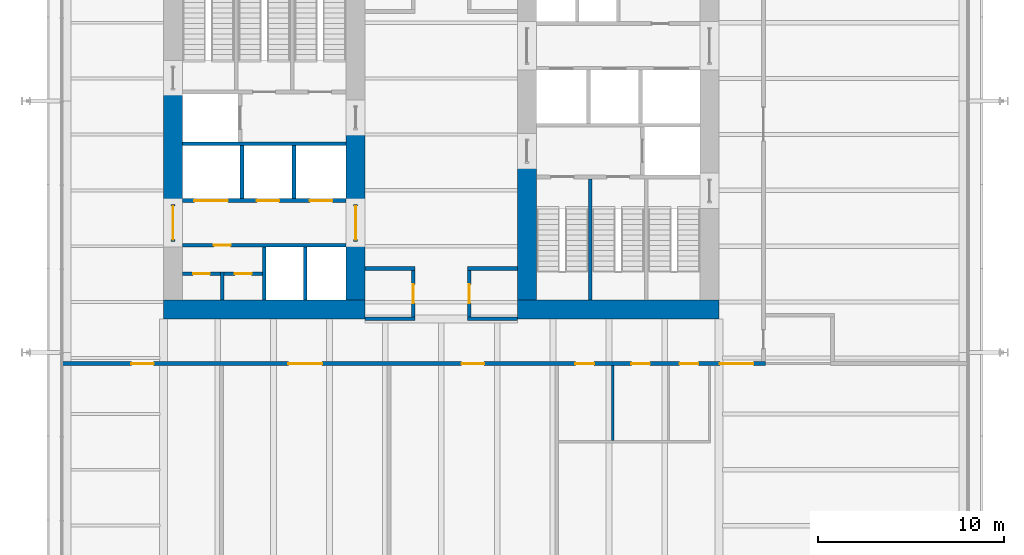
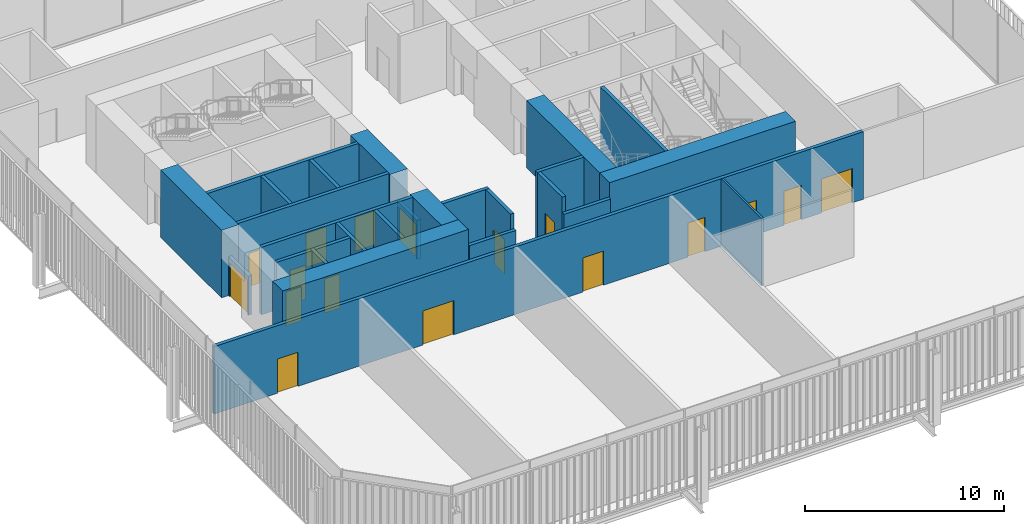
# One storey, part 16 of 20: 26 walls, 17 doors, 17 openings.
"""IFC4 building model written with IfcOpenShell, lengths in metres."""

from ifc_helpers import new_model, si_unit, direction, frame, frame_2d, origin, place, context, subcontext, project, spatial, rectangle, extrude, material, layer, layer_set, type_object, element, fill, save


model = new_model("IFC4")

# Units and contexts
model_context = context("Model", 3, precision=1e-05, world=origin(), true_north=direction((0.0, 1.0)))
body_context = subcontext(model_context, "Body", "Model", "MODEL_VIEW")
ifc_project = project(units=[si_unit("LENGTHUNIT", "METRE"), si_unit("AREAUNIT", "SQUARE_METRE"), si_unit("VOLUMEUNIT", "CUBIC_METRE"), si_unit("PLANEANGLEUNIT", "RADIAN"), si_unit("MASSUNIT", "GRAM", prefix="KILO")], contexts=[model_context])

# Site, building, storey
site_placement = place(None, origin())
site = spatial("IfcSite", under=ifc_project, at=site_placement, CompositionType="ELEMENT")
building_placement = place(site_placement, origin())
building = spatial("IfcBuilding", under=site, at=building_placement, Name="Millrace Tower", CompositionType="ELEMENT")
storey_placement = place(building_placement, frame((0.0, 0.0, 108.39990234375)))
storey = spatial("IfcBuildingStorey", under=building, at=storey_placement, Name="L24", CompositionType="ELEMENT", Elevation=108.39990234375)

# Walls
ifc_material_1 = material(Name="Concrete C80", Category="concrete")
ifc_layer_1 = layer(ifc_material_1, 1.0)
ifc_layer_set_1 = layer_set([ifc_layer_1], Name="Concrete C80")
wall_type_1 = type_object("IfcWallType", Name="Core wall 1000 Concrete C80", PredefinedType="SHEAR", material=ifc_layer_set_1)
wall_1_placement = place(storey_placement, frame((-14.89990234375, -9.39990234375, 0.0), z_axis=(0.0, 0.0, 1.0), x_axis=(1.0, 0.0, 0.0)))
element("IfcWall", 1, at=wall_1_placement, inside=storey, type_object=wall_type_1, Name="Core wall W L24", PredefinedType="SHEAR", context=body_context, shape_type="SweptSolid", body=[
    extrude(rectangle(XDim=10.7998046875, YDim=1.0, at=frame_2d((5.39990234375, 0.0))), origin(), (0.0, 0.0, 1.0), 4.150146484375),
])
wall_2_placement = place(storey_placement, frame((-14.39990234375, -3.75, 0.0), z_axis=(0.0, 0.0, 1.0), x_axis=(0.0, 1.0, 0.0)))
element("IfcWall", 2, at=wall_2_placement, inside=storey, type_object=wall_type_1, Name="Core wall W L24", PredefinedType="SHEAR", context=body_context, shape_type="SweptSolid", body=[
    extrude(rectangle(XDim=6.1298828125, YDim=1.0, at=frame_2d((3.06494140625, 0.0))), origin(), (0.0, 0.0, 1.0), 4.150146484375),
])
wall_3_placement = place(storey_placement, frame((-4.60009765625, -8.89990234375, 0.0), z_axis=(0.0, 0.0, 1.0), x_axis=(0.0, 1.0, 0.0)))
element("IfcWall", 3, at=wall_3_placement, inside=storey, type_object=wall_type_1, Name="Core wall W L24", PredefinedType="SHEAR", context=body_context, shape_type="SweptSolid", body=[
    extrude(rectangle(XDim=3.14990234375, YDim=1.0, at=frame_2d((1.574951171875, 0.0))), origin(), (0.0, 0.0, 1.0), 4.150146484375),
])
wall_4_placement = place(storey_placement, frame((-4.60009765625, -3.75, 0.0), z_axis=(0.0, 0.0, 1.0), x_axis=(0.0, 1.0, 0.0)))
element("IfcWall", 4, at=wall_4_placement, inside=storey, type_object=wall_type_1, Name="Core wall W L24", PredefinedType="SHEAR", context=body_context, shape_type="SweptSolid", body=[
    extrude(rectangle(XDim=4.0, YDim=1.0, at=frame_2d((2.0, 0.0))), origin(), (0.0, 0.0, 1.0), 4.150146484375),
])
wall_5_placement = place(storey_placement, frame((14.89990234375, -9.39990234375, 0.0), z_axis=(0.0, 0.0, 1.0), x_axis=(-1.0, 0.0, 0.0)))
element("IfcWall", 5, at=wall_5_placement, inside=storey, type_object=wall_type_1, Name="Core wall E L24", PredefinedType="SHEAR", context=body_context, shape_type="SweptSolid", body=[
    extrude(rectangle(XDim=10.7998046875, YDim=1.0, at=frame_2d((5.39990234375, 0.0))), origin(), (0.0, 0.0, 1.0), 4.150146484375),
])
wall_6_placement = place(storey_placement, frame((4.60009765625, -1.550048828125, 0.0), z_axis=(0.0, 0.0, 1.0), x_axis=(0.0, -1.0, 0.0)))
element("IfcWall", 6, at=wall_6_placement, inside=storey, type_object=wall_type_1, Name="Core wall E L24", PredefinedType="SHEAR", context=body_context, shape_type="SweptSolid", body=[
    extrude(rectangle(XDim=7.349853515625, YDim=1.0, at=frame_2d((3.6748046875, 0.0))), origin(), (0.0, 0.0, 1.0), 4.150146484375),
])

# Wall, openings, doors
ifc_material_2 = material(Name="Masonry partition, fire-rated", Category="masonry")
ifc_layer_2 = layer(ifc_material_2, 0.199951171875)
ifc_layer_set_2 = layer_set([ifc_layer_2], Name="Masonry partition, fire-rated")
wall_type_2 = type_object("IfcWallType", Name="Corridor wall 200", PredefinedType="PARTITIONING", material=ifc_layer_set_2)
wall_7_placement = place(storey_placement, frame((-20.330078125, -12.300048828125, 0.0), z_axis=(0.0, 0.0, 1.0), x_axis=(1.0, 0.0, 0.0)))
wall_7 = element("IfcWall", 7, at=wall_7_placement, inside=storey, type_object=wall_type_2, Name="Corridor wall L24", PredefinedType="PARTITIONING", context=body_context, shape_type="SweptSolid", body=[
    extrude(rectangle(XDim=37.72998046875, YDim=0.199951171875, at=frame_2d((18.864990234375, 0.0))), origin(), (0.0, 0.0, 1.0), 4.150146484375),
])
opening_1_placement = place(wall_7_placement, frame((3.68994140625, 0.0, 0.0)))
opening_1 = element("IfcOpeningElement", 8, at=opening_1_placement, cuts=wall_7, Name="Opening 24-P005", PredefinedType="OPENING", context=body_context, shape_type="SweptSolid", body=[
    extrude(rectangle(XDim=1.199951171875, YDim=2.10009765625, at=frame_2d((0.60009765625, 1.050048828125))), frame((0.0, 0.10986328125, 0.0), z_axis=(0.0, -1.0, 0.0), x_axis=(1.0, 0.0, 0.0)), (0.0, 0.0, 1.0), 0.219970703125),
])
opening_2_placement = place(wall_7_placement, frame((12.1298828125, 0.0, 0.0)))
opening_2 = element("IfcOpeningElement", 9, at=opening_2_placement, cuts=wall_7, Name="Opening 24-P006", PredefinedType="OPENING", context=body_context, shape_type="SweptSolid", body=[
    extrude(rectangle(XDim=1.800048828125, YDim=2.10009765625, at=frame_2d((0.89990234375, 1.050048828125))), frame((0.0, 0.10986328125, 0.0), z_axis=(0.0, -1.0, 0.0), x_axis=(1.0, 0.0, 0.0)), (0.0, 0.0, 1.0), 0.219970703125),
])
opening_3_placement = place(wall_7_placement, frame((21.429931640625, 0.0, 0.0)))
opening_3 = element("IfcOpeningElement", 10, at=opening_3_placement, cuts=wall_7, Name="Opening 24-P007", PredefinedType="OPENING", context=body_context, shape_type="SweptSolid", body=[
    extrude(rectangle(XDim=1.199951171875, YDim=2.10009765625, at=frame_2d((0.60009765625, 1.050048828125))), frame((0.0, 0.10986328125, 0.0), z_axis=(0.0, -1.0, 0.0), x_axis=(1.0, 0.0, 0.0)), (0.0, 0.0, 1.0), 0.219970703125),
])
opening_4_placement = place(wall_7_placement, frame((35.284912109375, 0.0, 0.0)))
opening_4 = element("IfcOpeningElement", 11, at=opening_4_placement, cuts=wall_7, Name="Opening 24-P008", PredefinedType="OPENING", context=body_context, shape_type="SweptSolid", body=[
    extrude(rectangle(XDim=1.800048828125, YDim=2.10009765625, at=frame_2d((0.89990234375, 1.050048828125))), frame((0.0, 0.10986328125, 0.0), z_axis=(0.0, -1.0, 0.0), x_axis=(1.0, 0.0, 0.0)), (0.0, 0.0, 1.0), 0.219970703125),
])
opening_5_placement = place(wall_7_placement, frame((27.530029296875, 0.0, 0.0)))
opening_5 = element("IfcOpeningElement", 12, at=opening_5_placement, cuts=wall_7, Name="Opening 24-P009", PredefinedType="OPENING", context=body_context, shape_type="SweptSolid", body=[
    extrude(rectangle(XDim=1.0, YDim=2.10009765625, at=frame_2d((0.5, 1.050048828125))), frame((0.0, 0.10986328125, 0.0), z_axis=(0.0, -1.0, 0.0), x_axis=(1.0, 0.0, 0.0)), (0.0, 0.0, 1.0), 0.219970703125),
])
opening_6_placement = place(wall_7_placement, frame((30.530029296875, 0.0, 0.0)))
opening_6 = element("IfcOpeningElement", 13, at=opening_6_placement, cuts=wall_7, Name="Opening 24-P010", PredefinedType="OPENING", context=body_context, shape_type="SweptSolid", body=[
    extrude(rectangle(XDim=1.0, YDim=2.10009765625, at=frame_2d((0.5, 1.050048828125))), frame((0.0, 0.10986328125, 0.0), z_axis=(0.0, -1.0, 0.0), x_axis=(1.0, 0.0, 0.0)), (0.0, 0.0, 1.0), 0.219970703125),
])
opening_7_placement = place(wall_7_placement, frame((33.1298828125, 0.0, 0.0)))
opening_7 = element("IfcOpeningElement", 14, at=opening_7_placement, cuts=wall_7, Name="Opening 24-P011", PredefinedType="OPENING", context=body_context, shape_type="SweptSolid", body=[
    extrude(rectangle(XDim=1.0, YDim=2.10009765625, at=frame_2d((0.5, 1.050048828125))), frame((0.0, 0.10986328125, 0.0), z_axis=(0.0, -1.0, 0.0), x_axis=(1.0, 0.0, 0.0)), (0.0, 0.0, 1.0), 0.219970703125),
])
ifc_material_3 = material(Name="Steel door set, fire-rated", Category="steel")
door_type_1 = type_object("IfcDoorType", Name="Corridor door 1000 x 2100", OperationType="SINGLE_SWING_LEFT", PredefinedType="DOOR", material=ifc_material_3)
door_1_placement = place(opening_5_placement, frame((1.0, 0.0, 0.0), z_axis=(0.0, 0.0, 1.0), x_axis=(-1.0, 0.0, 0.0)))
door_1 = element("IfcDoor", 15, at=door_1_placement, inside=storey, type_object=door_type_1, Name="Door 24-P009", OperationType="SINGLE_SWING_LEFT", OverallHeight=2.10009765625, OverallWidth=1.0, PredefinedType="DOOR", context=body_context, shape_type="SweptSolid", body=[
    extrude(rectangle(XDim=1.0, YDim=2.10009765625, at=frame_2d((0.5, 1.050048828125))), frame((0.0, 0.02490234375, 0.0), z_axis=(0.0, -1.0, 0.0), x_axis=(1.0, 0.0, 0.0)), (0.0, 0.0, 1.0), 0.050048828125),
])
fill(opening_5, door_1)
door_2_placement = place(opening_6_placement, frame((1.0, 0.0, 0.0), z_axis=(0.0, 0.0, 1.0), x_axis=(-1.0, 0.0, 0.0)))
door_2 = element("IfcDoor", 16, at=door_2_placement, inside=storey, type_object=door_type_1, Name="Door 24-P010", OperationType="SINGLE_SWING_LEFT", OverallHeight=2.10009765625, OverallWidth=1.0, PredefinedType="DOOR", context=body_context, shape_type="SweptSolid", body=[
    extrude(rectangle(XDim=1.0, YDim=2.10009765625, at=frame_2d((0.5, 1.050048828125))), frame((0.0, 0.02490234375, 0.0), z_axis=(0.0, -1.0, 0.0), x_axis=(1.0, 0.0, 0.0)), (0.0, 0.0, 1.0), 0.050048828125),
])
fill(opening_6, door_2)
door_3_placement = place(opening_7_placement, frame((1.0, 0.0, 0.0), z_axis=(0.0, 0.0, 1.0), x_axis=(-1.0, 0.0, 0.0)))
door_3 = element("IfcDoor", 17, at=door_3_placement, inside=storey, type_object=door_type_1, Name="Door 24-P011", OperationType="SINGLE_SWING_LEFT", OverallHeight=2.10009765625, OverallWidth=1.0, PredefinedType="DOOR", context=body_context, shape_type="SweptSolid", body=[
    extrude(rectangle(XDim=1.0, YDim=2.10009765625, at=frame_2d((0.5, 1.050048828125))), frame((0.0, 0.02490234375, 0.0), z_axis=(0.0, -1.0, 0.0), x_axis=(1.0, 0.0, 0.0)), (0.0, 0.0, 1.0), 0.050048828125),
])
fill(opening_7, door_3)
ifc_material_4 = material(Name="Steel door set, fire-rated", Category="steel")
door_type_2 = type_object("IfcDoorType", Name="Corridor door 1800 x 2100", OperationType="DOUBLE_DOOR_SINGLE_SWING", PredefinedType="DOOR", material=ifc_material_4)
door_4_placement = place(opening_4_placement, origin())
door_4 = element("IfcDoor", 18, at=door_4_placement, inside=storey, type_object=door_type_2, Name="Door 24-P008", OperationType="DOUBLE_DOOR_SINGLE_SWING", OverallHeight=2.10009765625, OverallWidth=1.800048828125, PredefinedType="DOOR", context=body_context, shape_type="SweptSolid", body=[
    extrude(rectangle(XDim=1.800048828125, YDim=2.10009765625, at=frame_2d((0.89990234375, 1.050048828125))), frame((0.0, 0.02490234375, 0.0), z_axis=(0.0, -1.0, 0.0), x_axis=(1.0, 0.0, 0.0)), (0.0, 0.0, 1.0), 0.050048828125),
])
fill(opening_4, door_4)
ifc_material_5 = material(Name="Steel door set, fire-rated", Category="steel")
door_type_3 = type_object("IfcDoorType", Name="Data hall door 1200 x 2100", OperationType="SINGLE_SWING_LEFT", PredefinedType="DOOR", material=ifc_material_5)
door_5_placement = place(opening_1_placement, frame((1.199951171875, 0.0, 0.0), z_axis=(0.0, 0.0, 1.0), x_axis=(-1.0, 0.0, 0.0)))
door_5 = element("IfcDoor", 19, at=door_5_placement, inside=storey, type_object=door_type_3, Name="Door 24-P005", OperationType="SINGLE_SWING_RIGHT", OverallHeight=2.10009765625, OverallWidth=1.199951171875, PredefinedType="DOOR", context=body_context, shape_type="SweptSolid", body=[
    extrude(rectangle(XDim=1.199951171875, YDim=2.10009765625, at=frame_2d((0.60009765625, 1.050048828125))), frame((0.0, 0.02490234375, 0.0), z_axis=(0.0, -1.0, 0.0), x_axis=(1.0, 0.0, 0.0)), (0.0, 0.0, 1.0), 0.050048828125),
])
fill(opening_1, door_5)
door_6_placement = place(opening_3_placement, frame((1.199951171875, 0.0, 0.0), z_axis=(0.0, 0.0, 1.0), x_axis=(-1.0, 0.0, 0.0)))
door_6 = element("IfcDoor", 20, at=door_6_placement, inside=storey, type_object=door_type_3, Name="Door 24-P007", OperationType="SINGLE_SWING_LEFT", OverallHeight=2.10009765625, OverallWidth=1.199951171875, PredefinedType="DOOR", context=body_context, shape_type="SweptSolid", body=[
    extrude(rectangle(XDim=1.199951171875, YDim=2.10009765625, at=frame_2d((0.60009765625, 1.050048828125))), frame((0.0, 0.02490234375, 0.0), z_axis=(0.0, -1.0, 0.0), x_axis=(1.0, 0.0, 0.0)), (0.0, 0.0, 1.0), 0.050048828125),
])
fill(opening_3, door_6)
ifc_material_6 = material(Name="Steel door set, fire-rated", Category="steel")
door_type_4 = type_object("IfcDoorType", Name="Data hall door 1800 x 2100", OperationType="DOUBLE_DOOR_SINGLE_SWING", PredefinedType="DOOR", material=ifc_material_6)
door_7_placement = place(opening_2_placement, frame((1.800048828125, 0.0, 0.0), z_axis=(0.0, 0.0, 1.0), x_axis=(-1.0, 0.0, 0.0)))
door_7 = element("IfcDoor", 21, at=door_7_placement, inside=storey, type_object=door_type_4, Name="Door 24-P006", OperationType="DOUBLE_DOOR_SINGLE_SWING", OverallHeight=2.10009765625, OverallWidth=1.800048828125, PredefinedType="DOOR", context=body_context, shape_type="SweptSolid", body=[
    extrude(rectangle(XDim=1.800048828125, YDim=2.10009765625, at=frame_2d((0.89990234375, 1.050048828125))), frame((0.0, 0.02490234375, 0.0), z_axis=(0.0, -1.0, 0.0), x_axis=(1.0, 0.0, 0.0)), (0.0, 0.0, 1.0), 0.050048828125),
])
fill(opening_2, door_7)

# Walls
for number, where, z_axis, x_axis, name in (
    (22, (-4.10009765625, -9.89990234375, 0.0), (0.0, 0.0, 1.0), (1.0, 0.0, 0.0), "Corridor wall L24"),
    (23, (1.39990234375, -9.89990234375, 0.0), (0.0, 0.0, 1.0), (1.0, 0.0, 0.0), "Corridor wall L24"),
):
    element("IfcWall", number, at=place(storey_placement, frame(where, z_axis=z_axis, x_axis=x_axis)), inside=storey, type_object=wall_type_2, Name=name, PredefinedType="PARTITIONING", context=body_context, shape_type="SweptSolid", body=[
        extrude(rectangle(XDim=2.7001953125, YDim=0.199951171875, at=frame_2d((1.35009765625, 0.0))), origin(), (0.0, 0.0, 1.0), 3.212890625),
    ])
for number, where, z_axis, x_axis, name in (
    (24, (-4.10009765625, -7.199951171875, 0.0), (0.0, 0.0, 1.0), (1.0, 0.0, 0.0), "Corridor wall L24"),
    (25, (1.39990234375, -7.199951171875, 0.0), (0.0, 0.0, 1.0), (1.0, 0.0, 0.0), "Corridor wall L24"),
):
    element("IfcWall", number, at=place(storey_placement, frame(where, z_axis=z_axis, x_axis=x_axis)), inside=storey, type_object=wall_type_2, Name=name, PredefinedType="PARTITIONING", context=body_context, shape_type="SweptSolid", body=[
        extrude(rectangle(XDim=2.7001953125, YDim=0.199951171875, at=frame_2d((1.35009765625, 0.0))), origin(), (0.0, 0.0, 1.0), 4.150146484375),
    ])

# Wall, opening, door
wall_8_placement = place(storey_placement, frame((1.5, -9.800048828125, 0.0), z_axis=(0.0, 0.0, 1.0), x_axis=(0.0, 1.0, 0.0)))
wall_8 = element("IfcWall", 26, at=wall_8_placement, inside=storey, type_object=wall_type_2, Name="Corridor wall L24", PredefinedType="PARTITIONING", context=body_context, shape_type="SweptSolid", body=[
    extrude(rectangle(XDim=2.5, YDim=0.199951171875, at=frame_2d((1.25, 0.0))), origin(), (0.0, 0.0, 1.0), 4.150146484375),
])
opening_8_placement = place(wall_8_placement, frame((0.75, 0.0, 0.0)))
opening_8 = element("IfcOpeningElement", 27, at=opening_8_placement, cuts=wall_8, Name="Opening 24-P004", PredefinedType="OPENING", context=body_context, shape_type="SweptSolid", body=[
    extrude(rectangle(XDim=1.0, YDim=2.10009765625, at=frame_2d((0.5, 1.050048828125))), frame((0.0, 0.10986328125, 0.0), z_axis=(0.0, -1.0, 0.0), x_axis=(1.0, 0.0, 0.0)), (0.0, 0.0, 1.0), 0.219970703125),
])
door_8_placement = place(opening_8_placement, frame((1.0, 0.0, 0.0), z_axis=(0.0, 0.0, 1.0), x_axis=(-1.0, 0.0, 0.0)))
door_8 = element("IfcDoor", 28, at=door_8_placement, inside=storey, type_object=door_type_1, Name="Door 24-P004", OperationType="SINGLE_SWING_LEFT", OverallHeight=2.10009765625, OverallWidth=1.0, PredefinedType="DOOR", context=body_context, shape_type="SweptSolid", body=[
    extrude(rectangle(XDim=1.0, YDim=2.10009765625, at=frame_2d((0.5, 1.050048828125))), frame((0.0, 0.02490234375, 0.0), z_axis=(0.0, -1.0, 0.0), x_axis=(1.0, 0.0, 0.0)), (0.0, 0.0, 1.0), 0.050048828125),
])
fill(opening_8, door_8)

wall_9_placement = place(storey_placement, frame((-1.5, -9.800048828125, 0.0), z_axis=(0.0, 0.0, 1.0), x_axis=(0.0, 1.0, 0.0)))
wall_9 = element("IfcWall", 29, at=wall_9_placement, inside=storey, type_object=wall_type_2, Name="Corridor wall L24", PredefinedType="PARTITIONING", context=body_context, shape_type="SweptSolid", body=[
    extrude(rectangle(XDim=2.5, YDim=0.199951171875, at=frame_2d((1.25, 0.0))), origin(), (0.0, 0.0, 1.0), 4.150146484375),
])
opening_9_placement = place(wall_9_placement, frame((0.75, 0.0, 0.0)))
opening_9 = element("IfcOpeningElement", 30, at=opening_9_placement, cuts=wall_9, Name="Opening 24-P003", PredefinedType="OPENING", context=body_context, shape_type="SweptSolid", body=[
    extrude(rectangle(XDim=1.0, YDim=2.10009765625, at=frame_2d((0.5, 1.050048828125))), frame((0.0, 0.10986328125, 0.0), z_axis=(0.0, -1.0, 0.0), x_axis=(1.0, 0.0, 0.0)), (0.0, 0.0, 1.0), 0.219970703125),
])
door_9_placement = place(opening_9_placement, origin())
door_9 = element("IfcDoor", 31, at=door_9_placement, inside=storey, type_object=door_type_1, Name="Door 24-P003", OperationType="SINGLE_SWING_RIGHT", OverallHeight=2.10009765625, OverallWidth=1.0, PredefinedType="DOOR", context=body_context, shape_type="SweptSolid", body=[
    extrude(rectangle(XDim=1.0, YDim=2.10009765625, at=frame_2d((0.5, 1.050048828125))), frame((0.0, 0.02490234375, 0.0), z_axis=(0.0, -1.0, 0.0), x_axis=(1.0, 0.0, 0.0)), (0.0, 0.0, 1.0), 0.050048828125),
])
fill(opening_9, door_9)

ifc_material_7 = material(Name="Masonry partition, fire-rated", Category="masonry")
ifc_layer_3 = layer(ifc_material_7, 0.199951171875)
ifc_layer_set_3 = layer_set([ifc_layer_3], Name="Masonry partition, fire-rated")
wall_type_3 = type_object("IfcWallType", Name="Lift shaft wall 200", PredefinedType="PARTITIONING", material=ifc_layer_set_3)
wall_10_placement = place(storey_placement, frame((-13.89990234375, -5.949951171875, 0.0), z_axis=(0.0, 0.0, 1.0), x_axis=(1.0, 0.0, 0.0)))
wall_10 = element("IfcWall", 32, at=wall_10_placement, inside=storey, type_object=wall_type_3, Name="Lift shaft wall W L24", PredefinedType="PARTITIONING", context=body_context, shape_type="SweptSolid", body=[
    extrude(rectangle(XDim=8.7998046875, YDim=0.199951171875, at=frame_2d((4.39990234375, 0.0))), origin(), (0.0, 0.0, 1.0), 4.150146484375),
])
opening_10_placement = place(wall_10_placement, frame((1.699951171875, 0.0, 0.0)))
opening_10 = element("IfcOpeningElement", 33, at=opening_10_placement, cuts=wall_10, Name="Opening 24-C005", PredefinedType="OPENING", context=body_context, shape_type="SweptSolid", body=[
    extrude(rectangle(XDim=0.89990234375, YDim=2.10009765625, at=frame_2d((0.449951171875, 1.050048828125))), frame((0.0, 0.10986328125, 0.0), z_axis=(0.0, -1.0, 0.0), x_axis=(1.0, 0.0, 0.0)), (0.0, 0.0, 1.0), 0.219970703125),
])
ifc_material_8 = material(Name="Steel door, fire-rated", Category="steel")
door_type_5 = type_object("IfcDoorType", Name="Service room door 900 x 2100", OperationType="SINGLE_SWING_LEFT", PredefinedType="DOOR", material=ifc_material_8)
door_10_placement = place(opening_10_placement, origin())
door_10 = element("IfcDoor", 34, at=door_10_placement, inside=storey, type_object=door_type_5, Name="Service room door 24-C005", OperationType="SINGLE_SWING_LEFT", OverallHeight=2.10009765625, OverallWidth=0.89990234375, PredefinedType="DOOR", context=body_context, shape_type="SweptSolid", body=[
    extrude(rectangle(XDim=0.89990234375, YDim=2.10009765625, at=frame_2d((0.449951171875, 1.050048828125))), frame((0.0, 0.02490234375, 0.0), z_axis=(0.0, -1.0, 0.0), x_axis=(1.0, 0.0, 0.0)), (0.0, 0.0, 1.0), 0.050048828125),
])
fill(opening_10, door_10)

# Wall, openings, doors
wall_11_placement = place(storey_placement, frame((-13.89990234375, -3.550048828125, 0.0), z_axis=(0.0, 0.0, 1.0), x_axis=(1.0, 0.0, 0.0)))
wall_11 = element("IfcWall", 35, at=wall_11_placement, inside=storey, type_object=wall_type_3, Name="Lift shaft wall W L24", PredefinedType="PARTITIONING", context=body_context, shape_type="SweptSolid", body=[
    extrude(rectangle(XDim=8.7998046875, YDim=0.199951171875, at=frame_2d((4.39990234375, 0.0))), origin(), (0.0, 0.0, 1.0), 4.150146484375),
])
opening_11_placement = place(wall_11_placement, frame((0.64990234375, 0.0, 0.0)))
opening_11 = element("IfcOpeningElement", 36, at=opening_11_placement, cuts=wall_11, Name="Opening 24-LD05", PredefinedType="OPENING", context=body_context, shape_type="SweptSolid", body=[
    extrude(rectangle(XDim=1.800048828125, YDim=2.10009765625, at=frame_2d((0.89990234375, 1.050048828125))), frame((0.0, 0.10986328125, 0.0), z_axis=(0.0, -1.0, 0.0), x_axis=(1.0, 0.0, 0.0)), (0.0, 0.0, 1.0), 0.219970703125),
])
opening_12_placement = place(wall_11_placement, frame((4.0, 0.0, 0.0)))
opening_12 = element("IfcOpeningElement", 37, at=opening_12_placement, cuts=wall_11, Name="Opening 24-LD06", PredefinedType="OPENING", context=body_context, shape_type="SweptSolid", body=[
    extrude(rectangle(XDim=1.199951171875, YDim=2.10009765625, at=frame_2d((0.60009765625, 1.050048828125))), frame((0.0, 0.10986328125, 0.0), z_axis=(0.0, -1.0, 0.0), x_axis=(1.0, 0.0, 0.0)), (0.0, 0.0, 1.0), 0.219970703125),
])
opening_13_placement = place(wall_11_placement, frame((6.85009765625, 0.0, 0.0)))
opening_13 = element("IfcOpeningElement", 38, at=opening_13_placement, cuts=wall_11, Name="Opening 24-LD07", PredefinedType="OPENING", context=body_context, shape_type="SweptSolid", body=[
    extrude(rectangle(XDim=1.199951171875, YDim=2.10009765625, at=frame_2d((0.60009765625, 1.050048828125))), frame((0.0, 0.10986328125, 0.0), z_axis=(0.0, -1.0, 0.0), x_axis=(1.0, 0.0, 0.0)), (0.0, 0.0, 1.0), 0.219970703125),
])
ifc_material_9 = material(Name="Stainless steel, fire-rated", Category="steel")
door_type_6 = type_object("IfcDoorType", Name="Lift landing door 1200 x 2100", OperationType="DOUBLE_DOOR_SLIDING", PredefinedType="DOOR", material=ifc_material_9)
door_11_placement = place(opening_12_placement, origin())
door_11 = element("IfcDoor", 39, at=door_11_placement, inside=storey, type_object=door_type_6, Name="Lift landing door LF6 L24", OperationType="DOUBLE_DOOR_SLIDING", OverallHeight=2.10009765625, OverallWidth=1.199951171875, PredefinedType="DOOR", context=body_context, shape_type="SweptSolid", body=[
    extrude(rectangle(XDim=1.199951171875, YDim=2.10009765625, at=frame_2d((0.60009765625, 1.050048828125))), frame((0.0, 0.02490234375, 0.0), z_axis=(0.0, -1.0, 0.0), x_axis=(1.0, 0.0, 0.0)), (0.0, 0.0, 1.0), 0.050048828125),
])
fill(opening_12, door_11)
door_12_placement = place(opening_13_placement, origin())
door_12 = element("IfcDoor", 40, at=door_12_placement, inside=storey, type_object=door_type_6, Name="Lift landing door LF7 L24", OperationType="DOUBLE_DOOR_SLIDING", OverallHeight=2.10009765625, OverallWidth=1.199951171875, PredefinedType="DOOR", context=body_context, shape_type="SweptSolid", body=[
    extrude(rectangle(XDim=1.199951171875, YDim=2.10009765625, at=frame_2d((0.60009765625, 1.050048828125))), frame((0.0, 0.02490234375, 0.0), z_axis=(0.0, -1.0, 0.0), x_axis=(1.0, 0.0, 0.0)), (0.0, 0.0, 1.0), 0.050048828125),
])
fill(opening_13, door_12)
ifc_material_10 = material(Name="Stainless steel, fire-rated", Category="steel")
door_type_7 = type_object("IfcDoorType", Name="Lift landing door 1800 x 2100", OperationType="DOUBLE_DOOR_SLIDING", PredefinedType="DOOR", material=ifc_material_10)
door_13_placement = place(opening_11_placement, origin())
door_13 = element("IfcDoor", 41, at=door_13_placement, inside=storey, type_object=door_type_7, Name="Lift landing door LF5 L24", OperationType="DOUBLE_DOOR_SLIDING", OverallHeight=2.10009765625, OverallWidth=1.800048828125, PredefinedType="DOOR", context=body_context, shape_type="SweptSolid", body=[
    extrude(rectangle(XDim=1.800048828125, YDim=2.10009765625, at=frame_2d((0.89990234375, 1.050048828125))), frame((0.0, 0.02490234375, 0.0), z_axis=(0.0, -1.0, 0.0), x_axis=(1.0, 0.0, 0.0)), (0.0, 0.0, 1.0), 0.050048828125),
])
fill(opening_11, door_13)

# Walls
wall_12_placement = place(storey_placement, frame((-13.89990234375, -0.5, 0.0), z_axis=(0.0, 0.0, 1.0), x_axis=(1.0, 0.0, 0.0)))
element("IfcWall", 42, at=wall_12_placement, inside=storey, type_object=wall_type_3, Name="Lift shaft wall W L24", PredefinedType="PARTITIONING", context=body_context, shape_type="SweptSolid", body=[
    extrude(rectangle(XDim=8.7998046875, YDim=0.199951171875, at=frame_2d((4.39990234375, 0.0))), origin(), (0.0, 0.0, 1.0), 4.150146484375),
])
for number, where, z_axis, x_axis, name in (
    (43, (-9.5, -8.89990234375, 0.0), (0.0, 0.0, 1.0), (0.0, 1.0, 0.0), "Lift shaft wall W L24"),
    (44, (-7.300048828125, -8.89990234375, 0.0), (0.0, 0.0, 1.0), (0.0, 1.0, 0.0), "Lift shaft wall W L24"),
    (45, (-10.699951171875, -3.449951171875, 0.0), (0.0, 0.0, 1.0), (0.0, 1.0, 0.0), "Lift shaft wall W L24"),
    (46, (-7.89990234375, -3.449951171875, 0.0), (0.0, 0.0, 1.0), (0.0, 1.0, 0.0), "Lift shaft wall W L24"),
):
    element("IfcWall", number, at=place(storey_placement, frame(where, z_axis=z_axis, x_axis=x_axis)), inside=storey, type_object=wall_type_3, Name=name, PredefinedType="PARTITIONING", context=body_context, shape_type="SweptSolid", body=[
        extrude(rectangle(XDim=2.849853515625, YDim=0.199951171875, at=frame_2d((1.4248046875, 0.0))), origin(), (0.0, 0.0, 1.0), 4.150146484375),
    ])

# Wall, opening, door
ifc_material_11 = material(Name="Masonry partition, fire-rated", Category="masonry")
ifc_layer_4 = layer(ifc_material_11, 0.199951171875)
ifc_layer_set_4 = layer_set([ifc_layer_4], Name="Masonry partition, fire-rated")
wall_type_4 = type_object("IfcWallType", Name="Lobby wall 200", PredefinedType="PARTITIONING", material=ifc_layer_set_4)
wall_13_placement = place(storey_placement, frame((-14.39990234375, -5.75, 0.0), z_axis=(0.0, 0.0, 1.0), x_axis=(0.0, 1.0, 0.0)))
wall_13 = element("IfcWall", 47, at=wall_13_placement, inside=storey, type_object=wall_type_4, Name="Lobby wall W L24", PredefinedType="PARTITIONING", context=body_context, shape_type="SweptSolid", body=[
    extrude(rectangle(XDim=2.0, YDim=0.199951171875, at=frame_2d((1.0, 0.0))), origin(), (0.0, 0.0, 1.0), 2.400146484375),
])
opening_14_placement = place(wall_13_placement, frame((0.10009765625, 0.0, 0.0)))
opening_14 = element("IfcOpeningElement", 48, at=opening_14_placement, cuts=wall_13, Name="Opening 24-C001", PredefinedType="OPENING", context=body_context, shape_type="SweptSolid", body=[
    extrude(rectangle(XDim=1.800048828125, YDim=2.10009765625, at=frame_2d((0.89990234375, 1.050048828125))), frame((0.0, 0.10986328125, 0.0), z_axis=(0.0, -1.0, 0.0), x_axis=(1.0, 0.0, 0.0)), (0.0, 0.0, 1.0), 0.219970703125),
])
ifc_material_12 = material(Name="Steel door, fire-rated", Category="steel")
door_type_8 = type_object("IfcDoorType", Name="Lobby door 1800 x 2100", OperationType="DOUBLE_DOOR_SINGLE_SWING", PredefinedType="DOOR", material=ifc_material_12)
door_14_placement = place(opening_14_placement, origin())
door_14 = element("IfcDoor", 49, at=door_14_placement, inside=storey, type_object=door_type_8, Name="Lobby door 24-C001", OperationType="DOUBLE_DOOR_SINGLE_SWING", OverallHeight=2.10009765625, OverallWidth=1.800048828125, PredefinedType="DOOR", context=body_context, shape_type="SweptSolid", body=[
    extrude(rectangle(XDim=1.800048828125, YDim=2.10009765625, at=frame_2d((0.89990234375, 1.050048828125))), frame((0.0, 0.02490234375, 0.0), z_axis=(0.0, -1.0, 0.0), x_axis=(1.0, 0.0, 0.0)), (0.0, 0.0, 1.0), 0.050048828125),
])
fill(opening_14, door_14)

wall_14_placement = place(storey_placement, frame((-4.60009765625, -5.75, 0.0), z_axis=(0.0, 0.0, 1.0), x_axis=(0.0, 1.0, 0.0)))
wall_14 = element("IfcWall", 50, at=wall_14_placement, inside=storey, type_object=wall_type_4, Name="Lobby wall W L24", PredefinedType="PARTITIONING", context=body_context, shape_type="SweptSolid", body=[
    extrude(rectangle(XDim=2.0, YDim=0.199951171875, at=frame_2d((1.0, 0.0))), origin(), (0.0, 0.0, 1.0), 2.400146484375),
])
opening_15_placement = place(wall_14_placement, frame((0.10009765625, 0.0, 0.0)))
opening_15 = element("IfcOpeningElement", 51, at=opening_15_placement, cuts=wall_14, Name="Opening 24-C003", PredefinedType="OPENING", context=body_context, shape_type="SweptSolid", body=[
    extrude(rectangle(XDim=1.800048828125, YDim=2.10009765625, at=frame_2d((0.89990234375, 1.050048828125))), frame((0.0, 0.10986328125, 0.0), z_axis=(0.0, -1.0, 0.0), x_axis=(1.0, 0.0, 0.0)), (0.0, 0.0, 1.0), 0.219970703125),
])
door_15_placement = place(opening_15_placement, origin())
door_15 = element("IfcDoor", 52, at=door_15_placement, inside=storey, type_object=door_type_8, Name="Lobby door 24-C003", OperationType="DOUBLE_DOOR_SINGLE_SWING", OverallHeight=2.10009765625, OverallWidth=1.800048828125, PredefinedType="DOOR", context=body_context, shape_type="SweptSolid", body=[
    extrude(rectangle(XDim=1.800048828125, YDim=2.10009765625, at=frame_2d((0.89990234375, 1.050048828125))), frame((0.0, 0.02490234375, 0.0), z_axis=(0.0, -1.0, 0.0), x_axis=(1.0, 0.0, 0.0)), (0.0, 0.0, 1.0), 0.050048828125),
])
fill(opening_15, door_15)

# Wall
ifc_material_13 = material(Name="Gypsum board partition")
ifc_layer_5 = layer(ifc_material_13, 0.1201171875)
ifc_layer_set_5 = layer_set([ifc_layer_5], Name="Gypsum board partition")
wall_type_5 = type_object("IfcWallType", Name="Partition wall 120", PredefinedType="PARTITIONING", material=ifc_layer_set_5)
wall_15_placement = place(storey_placement, frame((9.199951171875, -16.43994140625, 0.0), z_axis=(0.0, 0.0, 1.0), x_axis=(0.0, 1.0, 0.0)))
element("IfcWall", 53, at=wall_15_placement, inside=storey, type_object=wall_type_5, Name="Partition wall L24", PredefinedType="PARTITIONING", context=body_context, shape_type="SweptSolid", body=[
    extrude(rectangle(XDim=4.0400390625, YDim=0.1201171875, at=frame_2d((2.02001953125, 0.0))), origin(), (0.0, 0.0, 1.0), 4.150146484375),
])

# Wall, openings, doors
ifc_material_14 = material(Name="Masonry partition, fire-rated", Category="masonry")
ifc_layer_6 = layer(ifc_material_14, 0.199951171875)
ifc_layer_set_6 = layer_set([ifc_layer_6], Name="Masonry partition, fire-rated")
wall_type_6 = type_object("IfcWallType", Name="Room partition 200", PredefinedType="PARTITIONING", material=ifc_layer_set_6)
wall_16_placement = place(storey_placement, frame((-13.89990234375, -7.47509765625, 0.0), z_axis=(0.0, 0.0, 1.0), x_axis=(1.0, 0.0, 0.0)))
wall_16 = element("IfcWall", 54, at=wall_16_placement, inside=storey, type_object=wall_type_6, Name="Room partition W L24", PredefinedType="PARTITIONING", context=body_context, shape_type="SweptSolid", body=[
    extrude(rectangle(XDim=4.2998046875, YDim=0.199951171875, at=frame_2d((2.14990234375, 0.0))), origin(), (0.0, 0.0, 1.0), 4.150146484375),
])
opening_16_placement = place(wall_16_placement, frame((0.574951171875, 0.0, 0.0)))
opening_16 = element("IfcOpeningElement", 55, at=opening_16_placement, cuts=wall_16, Name="Opening 24-C006", PredefinedType="OPENING", context=body_context, shape_type="SweptSolid", body=[
    extrude(rectangle(XDim=0.89990234375, YDim=2.10009765625, at=frame_2d((0.449951171875, 1.050048828125))), frame((0.0, 0.10986328125, 0.0), z_axis=(0.0, -1.0, 0.0), x_axis=(1.0, 0.0, 0.0)), (0.0, 0.0, 1.0), 0.219970703125),
])
opening_17_placement = place(wall_16_placement, frame((2.824951171875, 0.0, 0.0)))
opening_17 = element("IfcOpeningElement", 56, at=opening_17_placement, cuts=wall_16, Name="Opening 24-C007", PredefinedType="OPENING", context=body_context, shape_type="SweptSolid", body=[
    extrude(rectangle(XDim=0.89990234375, YDim=2.10009765625, at=frame_2d((0.449951171875, 1.050048828125))), frame((0.0, 0.10986328125, 0.0), z_axis=(0.0, -1.0, 0.0), x_axis=(1.0, 0.0, 0.0)), (0.0, 0.0, 1.0), 0.219970703125),
])
door_16_placement = place(opening_16_placement, frame((0.89990234375, 0.0, 0.0), z_axis=(0.0, 0.0, 1.0), x_axis=(-1.0, 0.0, 0.0)))
door_16 = element("IfcDoor", 57, at=door_16_placement, inside=storey, type_object=door_type_5, Name="Service room door 24-C006", OperationType="SINGLE_SWING_RIGHT", OverallHeight=2.10009765625, OverallWidth=0.89990234375, PredefinedType="DOOR", context=body_context, shape_type="SweptSolid", body=[
    extrude(rectangle(XDim=0.89990234375, YDim=2.10009765625, at=frame_2d((0.449951171875, 1.050048828125))), frame((0.0, 0.02490234375, 0.0), z_axis=(0.0, -1.0, 0.0), x_axis=(1.0, 0.0, 0.0)), (0.0, 0.0, 1.0), 0.050048828125),
])
fill(opening_16, door_16)
door_17_placement = place(opening_17_placement, frame((0.89990234375, 0.0, 0.0), z_axis=(0.0, 0.0, 1.0), x_axis=(-1.0, 0.0, 0.0)))
door_17 = element("IfcDoor", 58, at=door_17_placement, inside=storey, type_object=door_type_5, Name="Service room door 24-C007", OperationType="SINGLE_SWING_LEFT", OverallHeight=2.10009765625, OverallWidth=0.89990234375, PredefinedType="DOOR", context=body_context, shape_type="SweptSolid", body=[
    extrude(rectangle(XDim=0.89990234375, YDim=2.10009765625, at=frame_2d((0.449951171875, 1.050048828125))), frame((0.0, 0.02490234375, 0.0), z_axis=(0.0, -1.0, 0.0), x_axis=(1.0, 0.0, 0.0)), (0.0, 0.0, 1.0), 0.050048828125),
])
fill(opening_17, door_17)

# Walls
wall_17_placement = place(storey_placement, frame((-11.75, -8.89990234375, 0.0), z_axis=(0.0, 0.0, 1.0), x_axis=(0.0, 1.0, 0.0)))
element("IfcWall", 59, at=wall_17_placement, inside=storey, type_object=wall_type_6, Name="Room partition W L24", PredefinedType="PARTITIONING", context=body_context, shape_type="SweptSolid", body=[
    extrude(rectangle(XDim=1.52490234375, YDim=0.199951171875, at=frame_2d((0.762451171875, 0.0))), origin(), (0.0, 0.0, 1.0), 4.150146484375),
])
ifc_material_15 = material(Name="Concrete C40", Category="concrete")
ifc_layer_7 = layer(ifc_material_15, 0.199951171875)
ifc_layer_set_7 = layer_set([ifc_layer_7], Name="Concrete C40")
wall_type_7 = type_object("IfcWallType", Name="Stair enclosure wall 200 Concrete C40", PredefinedType="SHEAR", material=ifc_layer_set_7)
wall_18_placement = place(storey_placement, frame((8.0, -2.3798828125, 0.0), z_axis=(0.0, 0.0, 1.0), x_axis=(0.0, -1.0, 0.0)))
element("IfcWall", 60, at=wall_18_placement, inside=storey, type_object=wall_type_7, Name="Stair enclosure wall E L24", PredefinedType="SHEAR", context=body_context, shape_type="SweptSolid", body=[
    extrude(rectangle(XDim=6.52001953125, YDim=0.199951171875, at=frame_2d((3.260009765625, 0.0))), origin(), (0.0, 0.0, 1.0), 4.150146484375),
])

save(model, "model.ifc")
